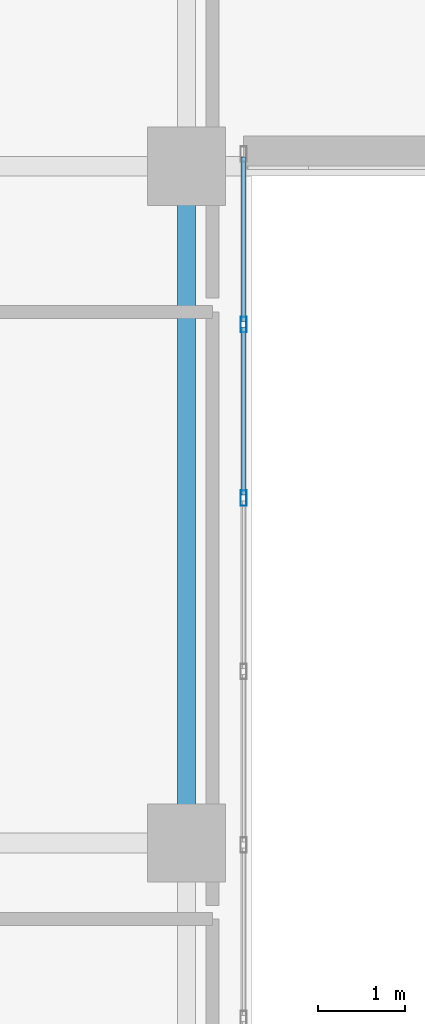
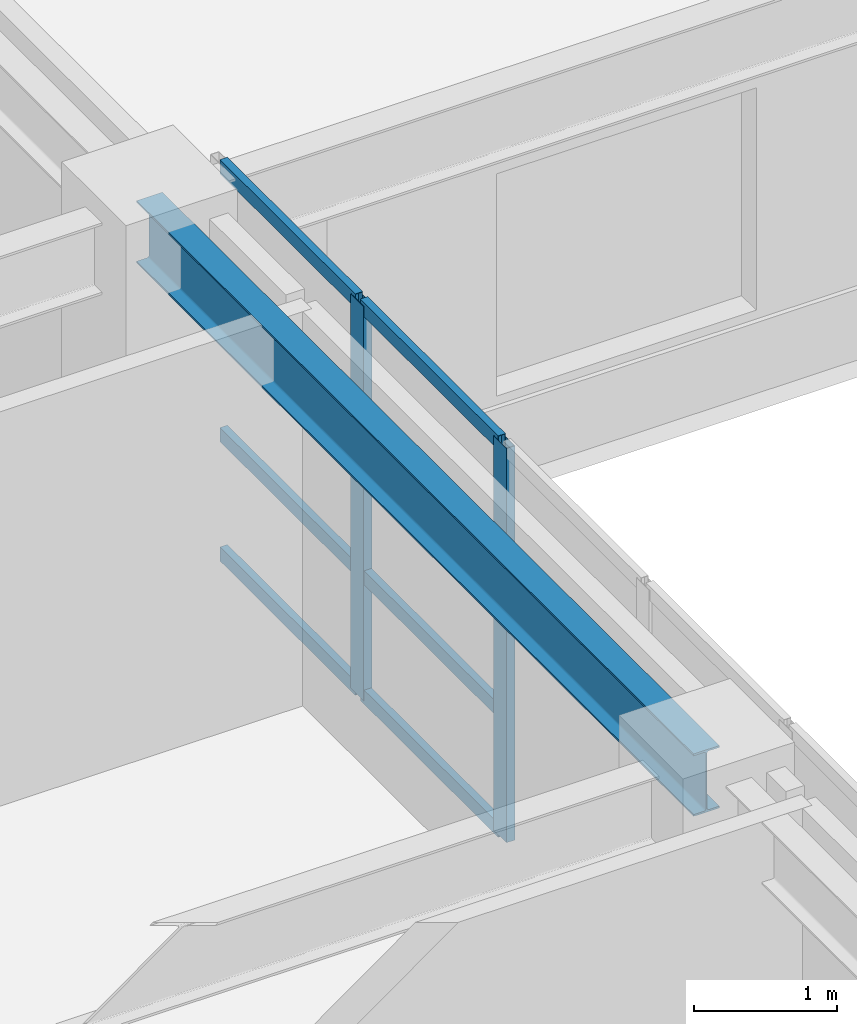
# One storey, part 3 of 24: 8 members, 1 beam, 1 element without a shape of its own.
"""IFC4 building model written with IfcOpenShell, lengths in metres."""

import ifcopenshell
import ifcopenshell.guid

model = None  # the IFC model being written
_history = None  # IfcOwnerHistory: only IFC2X3 demands one
_inside = {}  # id of a spatial element -> (the spatial element, [elements in it])
_under = {}  # id of a project, library or spatial element -> (it, [spatial elements below it])
_declared = {}  # id of a project -> (the project, [libraries it declares])
_typed = {}  # id of a type object -> (the type object, [elements of that type])
_made_of = {}  # id of a material, layer set ... -> (it, [elements and type objects made of it])


def new_model(schema):
    """Start an empty IFC model of exactly this schema.

    Asked for "IFC4X3", IfcOpenShell would pick the latest addendum, in which some entities
    have other attributes; the version numbers below select the first issue.
    IFC2X3 requires an IfcOwnerHistory on every rooted entity: one is made here for all.
    """
    global model, _history
    if schema == "IFC4X3":
        model = ifcopenshell.file(schema_version=(4, 3, 0, 0))
    else:
        model = ifcopenshell.file(schema=schema)
    _inside.clear()
    _under.clear()
    _declared.clear()
    _typed.clear()
    _made_of.clear()
    _history = None
    if model.schema == "IFC2X3":
        org = make("IfcOrganization", Name="unknown")
        user = make(
            "IfcPersonAndOrganization",
            ThePerson=make("IfcPerson", FamilyName="unknown"),
            TheOrganization=org,
        )
        app = make(
            "IfcApplication",
            ApplicationDeveloper=org,
            Version="unknown",
            ApplicationFullName="unknown",
            ApplicationIdentifier="unknown",
        )
        _history = make(
            "IfcOwnerHistory",
            OwningUser=user,
            OwningApplication=app,
            ChangeAction="ADDED",
            CreationDate=0,
        )
    return model


def make(cls, **values):
    """One entity of the class cls with the attributes given. An attribute that is None is left unset."""
    return model.create_entity(
        cls, **{name: value for name, value in values.items() if value is not None}
    )


def rooted(cls, **values):
    """An entity with a GlobalId (a new one), such as an element, a storey or a relation."""
    return make(cls, GlobalId=ifcopenshell.guid.new(), OwnerHistory=_history, **values)


def si_unit(unit_type, name, prefix=None):
    """IfcSIUnit, for example si_unit("LENGTHUNIT", "METRE", prefix="MILLI")."""
    return make("IfcSIUnit", UnitType=unit_type, Prefix=prefix, Name=name)


def assignment(units):
    """IfcUnitAssignment: the units of a project."""
    return None if units is None else make("IfcUnitAssignment", Units=units)


def point(xyz):
    """IfcCartesianPoint."""
    return None if xyz is None else make("IfcCartesianPoint", Coordinates=xyz)


def direction(xyz):
    """IfcDirection."""
    return None if xyz is None else make("IfcDirection", DirectionRatios=xyz)


def frame(location, z_axis=None, x_axis=None):
    """IfcAxis2Placement3D, a coordinate frame: its origin and axes. An axis left out is left unset."""
    return make(
        "IfcAxis2Placement3D",
        Location=point(location),
        Axis=direction(z_axis),
        RefDirection=direction(x_axis),
    )


def frame_2d(location, x_axis=None):
    """IfcAxis2Placement2D, a coordinate frame in the plane: its origin and x axis."""
    return make(
        "IfcAxis2Placement2D", Location=point(location), RefDirection=direction(x_axis)
    )


def origin():
    """The frame at (0, 0, 0) with its axes left unset."""
    return frame((0.0, 0.0, 0.0))


def origin_2d():
    """The frame at (0, 0) in the plane with its x axis left unset."""
    return frame_2d((0.0, 0.0))


def place(relative_to, where):
    """IfcLocalPlacement: puts the frame where relative to a parent placement (None: the world)."""
    return make(
        "IfcLocalPlacement", PlacementRelTo=relative_to, RelativePlacement=where
    )


def context(
    kind, dimensions, precision=None, world=None, true_north=None, identifier=None
):
    """IfcGeometricRepresentationContext, for example the 3D "Model" context."""
    return make(
        "IfcGeometricRepresentationContext",
        ContextIdentifier=identifier,
        ContextType=kind,
        CoordinateSpaceDimension=dimensions,
        Precision=precision,
        WorldCoordinateSystem=world,
        TrueNorth=true_north,
    )


def subcontext(parent, identifier, kind, view, scale=None):
    """IfcGeometricRepresentationSubContext, for example "Body" below "Model"."""
    return make(
        "IfcGeometricRepresentationSubContext",
        ContextIdentifier=identifier,
        ContextType=kind,
        ParentContext=parent,
        TargetScale=scale,
        TargetView=view,
    )


def project(units=None, contexts=None):
    """IfcProject with its units and contexts."""
    return rooted(
        "IfcProject",
        Name="project",
        RepresentationContexts=contexts,
        UnitsInContext=assignment(units),
    )


def spatial(cls, under=None, at=None, **own):
    """A site, building, storey or space (cls), placed at a placement, below another one or the project."""
    s = rooted(cls, ObjectPlacement=at, **own)
    if under is not None:
        _under.setdefault(under.id(), (under, []))[1].append(s)
    return s


def profile(cls, at=None, kind="AREA", **sizes):
    """A parametric profile (cls). Its sizes go by their IFC names, for example OverallWidth=200.0."""
    return make(cls, ProfileType=kind, Position=at, **sizes)


def hollow_rectangle(**sizes):
    """IfcRectangleHollowProfileDef."""
    return profile("IfcRectangleHollowProfileDef", **sizes)


def i_section(**sizes):
    """IfcIShapeProfileDef."""
    return profile("IfcIShapeProfileDef", **sizes)


def extrude(swept, where, along, depth):
    """IfcExtrudedAreaSolid: the profile swept, set in the frame where, extruded along a direction by depth."""
    return make(
        "IfcExtrudedAreaSolid",
        SweptArea=swept,
        Position=where,
        ExtrudedDirection=direction(along),
        Depth=depth,
    )


def shape(context_of_items, identifier, shape_type, items):
    """IfcShapeRepresentation: the items that make up one representation, for example the "Body"."""
    return make(
        "IfcShapeRepresentation",
        ContextOfItems=context_of_items,
        RepresentationIdentifier=identifier,
        RepresentationType=shape_type,
        Items=items,
    )


def source(mapping_origin, context_of_items, identifier, shape_type, items):
    """IfcRepresentationMap: a shape defined once, which mapped items show again and again."""
    return make(
        "IfcRepresentationMap",
        MappingOrigin=mapping_origin,
        MappedRepresentation=shape(context_of_items, identifier, shape_type, items),
    )


def transform(
    local_origin,
    x_axis=None,
    y_axis=None,
    z_axis=None,
    scale=None,
    scale2=None,
    scale3=None,
    uniform=True,
):
    """IfcCartesianTransformationOperator3D, or its non-uniform kind. x_axis, y_axis, z_axis: its Axis1, 2, 3."""
    if uniform:
        return make(
            "IfcCartesianTransformationOperator3D",
            Axis1=direction(x_axis),
            Axis2=direction(y_axis),
            LocalOrigin=point(local_origin),
            Scale=scale,
            Axis3=direction(z_axis),
        )
    return make(
        "IfcCartesianTransformationOperator3DnonUniform",
        Axis1=direction(x_axis),
        Axis2=direction(y_axis),
        LocalOrigin=point(local_origin),
        Scale=scale,
        Axis3=direction(z_axis),
        Scale2=scale2,
        Scale3=scale3,
    )


def mapped(mapping_source, mapping_target):
    """IfcMappedItem: shows the shape of a source again, moved by a transform."""
    return make(
        "IfcMappedItem", MappingSource=mapping_source, MappingTarget=mapping_target
    )


def material(Name=None, Category=None):
    """IfcMaterial."""
    return make("IfcMaterial", Name=Name, Category=Category)


def layer(
    of_material, thickness, ventilated=None, Name=None, Category=None, Priority=None
):
    """IfcMaterialLayer: one layer of a wall or slab, of a material (None: an air gap)."""
    return make(
        "IfcMaterialLayer",
        Material=of_material,
        LayerThickness=thickness,
        IsVentilated=ventilated,
        Name=Name,
        Category=Category,
        Priority=Priority,
    )


def layer_set(layers, Name=None):
    """IfcMaterialLayerSet."""
    return make("IfcMaterialLayerSet", MaterialLayers=layers, LayerSetName=Name)


def material_profile(
    of_material, cross_section, Name=None, Category=None, Priority=None
):
    """IfcMaterialProfile: a cross section and its material."""
    return make(
        "IfcMaterialProfile",
        Name=Name,
        Material=of_material,
        Profile=cross_section,
        Priority=Priority,
        Category=Category,
    )


def profile_set(profiles, Name=None, composite=None):
    """IfcMaterialProfileSet."""
    return make(
        "IfcMaterialProfileSet",
        Name=Name,
        MaterialProfiles=profiles,
        CompositeProfile=composite,
    )


def made_of(thing, what):
    """Note that an element or type object is made of a material, layer set ...; save() writes the relation."""
    if what is not None:
        _made_of.setdefault(what.id(), (what, []))[1].append(thing)
    return thing


def type_object(cls, material=None, **own):
    """A type object (cls), such as IfcWallType, which elements share."""
    return made_of(rooted(cls, **own), material)


def type_shapes(of_type, sources):
    """Give a type object the sources (RepresentationMaps) that its elements show as mapped items."""
    of_type.RepresentationMaps = sources


def element(
    cls,
    number,
    at=None,
    inside=None,
    cuts=None,
    type_object=None,
    material=None,
    context=None,
    identifier="Body",
    shape_type=None,
    held_by="IfcProductDefinitionShape",
    body=None,
    shapes=None,
    **own,
):
    """One element of the class cls, such as IfcWall. Its Tag is "e" and its number.

    at: its placement. inside: the storey or other place that contains it. cuts: it is an
    opening in that element (IfcRelVoidsElement). A single representation is given by context,
    identifier, shape_type and body (its items); several are given by shapes. held_by: the class
    of the entity that holds the representations. save() writes the other relations.
    """
    e = rooted(cls, Tag="e%d" % number, ObjectPlacement=at, **own)
    if body is not None:
        shapes = [shape(context, identifier, shape_type, body)]
    if shapes is not None:
        e.Representation = make(held_by, Representations=shapes)
    if inside is not None:
        _inside.setdefault(inside.id(), (inside, []))[1].append(e)
    if cuts is not None:
        rooted(
            "IfcRelVoidsElement", RelatingBuildingElement=cuts, RelatedOpeningElement=e
        )
    if type_object is not None:
        _typed.setdefault(type_object.id(), (type_object, []))[1].append(e)
    return made_of(e, material)


def aggregate(whole, parts):
    """IfcRelAggregates: a whole, such as a stair, and the parts it consists of."""
    return rooted("IfcRelAggregates", RelatingObject=whole, RelatedObjects=parts)


def save(model, path):
    """Write the relations noted so far, then the file.

    IfcRelAggregates (storeys below a building ...), IfcRelContainedInSpatialStructure (elements
    in a storey), IfcRelDefinesByType, IfcRelAssociatesMaterial and IfcRelDeclares: one each for
    every whole, place, type object, material and project.
    """
    for whole, parts in _under.values():
        aggregate(whole, parts)
    for where, things in _inside.values():
        rooted(
            "IfcRelContainedInSpatialStructure",
            RelatedElements=things,
            RelatingStructure=where,
        )
    for kind, things in _typed.values():
        rooted("IfcRelDefinesByType", RelatedObjects=things, RelatingType=kind)
    for what, things in _made_of.values():
        rooted("IfcRelAssociatesMaterial", RelatedObjects=things, RelatingMaterial=what)
    for by, libraries in _declared.values():
        rooted("IfcRelDeclares", RelatingContext=by, RelatedDefinitions=libraries)
    model.write(path)


model = new_model("IFC4")

# Units and contexts
model_context = context("Model", 3, precision=1e-05, world=origin(), true_north=direction((0.0, 1.0)))
body_context = subcontext(model_context, "Body", "Model", "MODEL_VIEW")
ifc_project = project(units=[si_unit("LENGTHUNIT", "METRE"), si_unit("AREAUNIT", "SQUARE_METRE"), si_unit("VOLUMEUNIT", "CUBIC_METRE"), si_unit("PLANEANGLEUNIT", "RADIAN"), si_unit("MASSUNIT", "GRAM", prefix="KILO")], contexts=[model_context])

# Site, building, storey
site_placement = place(None, origin())
site = spatial("IfcSite", under=ifc_project, at=site_placement, CompositionType="ELEMENT")
building_placement = place(site_placement, origin())
building = spatial("IfcBuilding", under=site, at=building_placement, Name="Tolvann Quenvar Hotel", CompositionType="ELEMENT")
storey_placement = place(building_placement, frame((0.0, 0.0, 139.949951171875)))
storey = spatial("IfcBuildingStorey", under=building, at=storey_placement, Name="L36", CompositionType="ELEMENT", Elevation=139.949951171875)

# Beam
ifc_material_1 = material(Name="Steel Grade 350", Category="steel")
ifc_material_profile_1 = material_profile(ifc_material_1, i_section(OverallWidth=0.208984375, OverallDepth=0.532958984375, WebThickness=0.01025390625, FlangeThickness=0.015625, FilletRadius=0.013916015625, at=origin_2d()), Name="530UB92")
ifc_profile_set_1 = profile_set([ifc_material_profile_1], Name="Steel Grade 350")
beam_type = type_object("IfcBeamType", Name="BM_GIRD_530UB92", PredefinedType="BEAM", material=ifc_profile_set_1)
shared_shape_1 = source(origin(), body_context, "Body", "SweptSolid", [
    extrude(i_section(OverallWidth=0.208984375, OverallDepth=0.532958984375, WebThickness=0.01025390625, FlangeThickness=0.015625, FilletRadius=0.013916015625, at=origin_2d()), origin(), (0.0, 0.0, 1.0), 7.800048828125),
])
type_shapes(beam_type, [shared_shape_1])
beam_placement = place(storey_placement, frame((22.050048828125, 8.199951171875, 3.103515625), z_axis=(0.0, 1.0, 0.0), x_axis=(-1.0, 0.0, 0.0)))
element("IfcBeam", 1, at=beam_placement, inside=storey, type_object=beam_type, Name="BM-L36-NS-E3-E4", PredefinedType="BEAM", context=body_context, shape_type="MappedRepresentation", body=[
    mapped(shared_shape_1, transform((0.0, 0.0, 0.0), x_axis=(1.0, 0.0, 0.0), y_axis=(0.0, 1.0, 0.0), z_axis=(0.0, 0.0, 1.0), scale=1.0)),
])

# Curtain wall, members
ifc_material_2 = material(Name="Thermally broken anodised architectural aluminium 6063-T6 and laminated low-E glass", Category="aluminium")
ifc_layer = layer(ifc_material_2, 0.179931640625)
ifc_layer_set = layer_set([ifc_layer], Name="Thermally broken anodised architectural aluminium 6063-T6 and laminated low-E glass")
curtain_wall_type = type_object("IfcCurtainWallType", Name="CW_SYS_SLOT_03", PredefinedType="USERDEFINED", material=ifc_layer_set)
curtain_wall_placement = place(storey_placement, origin())
curtain_wall = element("IfcCurtainWall", 2, at=curtain_wall_placement, inside=storey, type_object=curtain_wall_type, Name="Curtain Wall CW-SLOT-03 (CWR-L36-E05)", ObjectType="UNITISED CURTAIN WALL", PredefinedType="USERDEFINED")
ifc_material_3 = material(Name="Anodised architectural aluminium 6063-T6 framing", Category="aluminium")
ifc_material_profile_2 = material_profile(ifc_material_3, hollow_rectangle(XDim=0.070068359375, YDim=0.179931640625, WallThickness=0.00390625, at=origin_2d()), Name="180x70x4RHS")
ifc_profile_set_2 = profile_set([ifc_material_profile_2], Name="Anodised architectural aluminium 6063-T6 framing")
member_type_1 = type_object("IfcMemberType", Name="CW_MULL_180x70", PredefinedType="MULLION", material=ifc_profile_set_2)
shared_shape_2 = source(origin(), body_context, "Body", "SweptSolid", [
    extrude(hollow_rectangle(XDim=0.070068359375, YDim=0.179931640625, WallThickness=0.00390625, at=origin_2d()), origin(), (0.0, 0.0, 1.0), 3.3701171875),
])
type_shapes(member_type_1, [shared_shape_2])
member_1_placement = place(storey_placement, frame((22.7099609375, 12.175048828125, 0.0), z_axis=(0.0, 0.0, 1.0), x_axis=(-1.0, 0.0, 0.0)))
member_1 = element("IfcMember", 3, at=member_1_placement, type_object=member_type_1, Name="CW-SLOT-03 mullion 7", PredefinedType="MULLION", context=body_context, shape_type="MappedRepresentation", body=[
    mapped(shared_shape_2, transform((0.0, 0.0, 0.0), x_axis=(1.0, 0.0, 0.0), y_axis=(0.0, 1.0, 0.0), z_axis=(0.0, 0.0, 1.0), scale=1.0)),
])
member_2_placement = place(storey_placement, frame((22.7099609375, 14.175048828125, 0.0), z_axis=(0.0, 0.0, 1.0), x_axis=(-1.0, 0.0, 0.0)))
member_2 = element("IfcMember", 4, at=member_2_placement, type_object=member_type_1, Name="CW-SLOT-03 mullion 8", PredefinedType="MULLION", context=body_context, shape_type="MappedRepresentation", body=[
    mapped(shared_shape_2, transform((0.0, 0.0, 0.0), x_axis=(1.0, 0.0, 0.0), y_axis=(0.0, 1.0, 0.0), z_axis=(0.0, 0.0, 1.0), scale=1.0)),
])
ifc_material_profile_3 = material_profile(ifc_material_3, hollow_rectangle(XDim=0.06005859375, YDim=0.1201171875, WallThickness=0.00341796875, at=origin_2d()), Name="120x60x3.5RHS")
ifc_profile_set_3 = profile_set([ifc_material_profile_3], Name="Anodised architectural aluminium 6063-T6 framing")
member_type_2 = type_object("IfcMemberType", Name="CW_TRAN_120x60", PredefinedType="USERDEFINED", material=ifc_profile_set_3)
shared_shape_3 = source(origin(), body_context, "Body", "SweptSolid", [
    extrude(hollow_rectangle(XDim=0.06005859375, YDim=0.1201171875, WallThickness=0.00341796875, at=origin_2d()), origin(), (0.0, 0.0, 1.0), 1.929931640625),
])
member_3_placement = place(storey_placement, frame((22.7099609375, 12.2099609375, 0.030029296875), z_axis=(0.0, 1.0, 0.0), x_axis=(-1.0, 0.0, 0.0)))
member_3 = element("IfcMember", 5, at=member_3_placement, type_object=member_type_2, Name="CW-SLOT-03 transom 7.1", ObjectType="TRANSOM", PredefinedType="USERDEFINED", context=body_context, shape_type="MappedRepresentation", body=[
    mapped(shared_shape_3, transform((0.0, 0.0, 0.0), x_axis=(1.0, 0.0, 0.0), y_axis=(0.0, 1.0, 0.0), z_axis=(0.0, 0.0, 1.0), scale=1.0)),
])
member_4_placement = place(storey_placement, frame((22.7099609375, 12.2099609375, 1.050048828125), z_axis=(0.0, 1.0, 0.0), x_axis=(-1.0, 0.0, 0.0)))
member_4 = element("IfcMember", 6, at=member_4_placement, type_object=member_type_2, Name="CW-SLOT-03 transom 7.2", ObjectType="TRANSOM", PredefinedType="USERDEFINED", context=body_context, shape_type="MappedRepresentation", body=[
    mapped(shared_shape_3, transform((0.0, 0.0, 0.0), x_axis=(1.0, 0.0, 0.0), y_axis=(0.0, 1.0, 0.0), z_axis=(0.0, 0.0, 1.0), scale=1.0)),
])
member_5_placement = place(storey_placement, frame((22.7099609375, 12.2099609375, 3.340087890625), z_axis=(0.0, 1.0, 0.0), x_axis=(-1.0, 0.0, 0.0)))
member_5 = element("IfcMember", 7, at=member_5_placement, type_object=member_type_2, Name="CW-SLOT-03 transom 7.3", ObjectType="TRANSOM", PredefinedType="USERDEFINED", context=body_context, shape_type="MappedRepresentation", body=[
    mapped(shared_shape_3, transform((0.0, 0.0, 0.0), x_axis=(1.0, 0.0, 0.0), y_axis=(0.0, 1.0, 0.0), z_axis=(0.0, 0.0, 1.0), scale=1.0)),
])
shared_shape_4 = source(origin(), body_context, "Body", "SweptSolid", [
    extrude(hollow_rectangle(XDim=0.06005859375, YDim=0.1201171875, WallThickness=0.00341796875, at=origin_2d()), origin(), (0.0, 0.0, 1.0), 1.89501953125),
])
type_shapes(member_type_2, [shared_shape_3, shared_shape_4])
member_6_placement = place(storey_placement, frame((22.7099609375, 14.2099609375, 0.030029296875), z_axis=(0.0, 1.0, 0.0), x_axis=(-1.0, 0.0, 0.0)))
member_6 = element("IfcMember", 8, at=member_6_placement, type_object=member_type_2, Name="CW-SLOT-03 transom 8.1", ObjectType="TRANSOM", PredefinedType="USERDEFINED", context=body_context, shape_type="MappedRepresentation", body=[
    mapped(shared_shape_4, transform((0.0, 0.0, 0.0), x_axis=(1.0, 0.0, 0.0), y_axis=(0.0, 1.0, 0.0), z_axis=(0.0, 0.0, 1.0), scale=1.0)),
])
member_7_placement = place(storey_placement, frame((22.7099609375, 14.2099609375, 1.050048828125), z_axis=(0.0, 1.0, 0.0), x_axis=(-1.0, 0.0, 0.0)))
member_7 = element("IfcMember", 9, at=member_7_placement, type_object=member_type_2, Name="CW-SLOT-03 transom 8.2", ObjectType="TRANSOM", PredefinedType="USERDEFINED", context=body_context, shape_type="MappedRepresentation", body=[
    mapped(shared_shape_4, transform((0.0, 0.0, 0.0), x_axis=(1.0, 0.0, 0.0), y_axis=(0.0, 1.0, 0.0), z_axis=(0.0, 0.0, 1.0), scale=1.0)),
])
member_8_placement = place(storey_placement, frame((22.7099609375, 14.2099609375, 3.340087890625), z_axis=(0.0, 1.0, 0.0), x_axis=(-1.0, 0.0, 0.0)))
member_8 = element("IfcMember", 10, at=member_8_placement, type_object=member_type_2, Name="CW-SLOT-03 transom 8.3", ObjectType="TRANSOM", PredefinedType="USERDEFINED", context=body_context, shape_type="MappedRepresentation", body=[
    mapped(shared_shape_4, transform((0.0, 0.0, 0.0), x_axis=(1.0, 0.0, 0.0), y_axis=(0.0, 1.0, 0.0), z_axis=(0.0, 0.0, 1.0), scale=1.0)),
])
aggregate(curtain_wall, [member_1, member_2, member_3, member_4, member_5, member_6, member_7, member_8])

save(model, "model.ifc")
